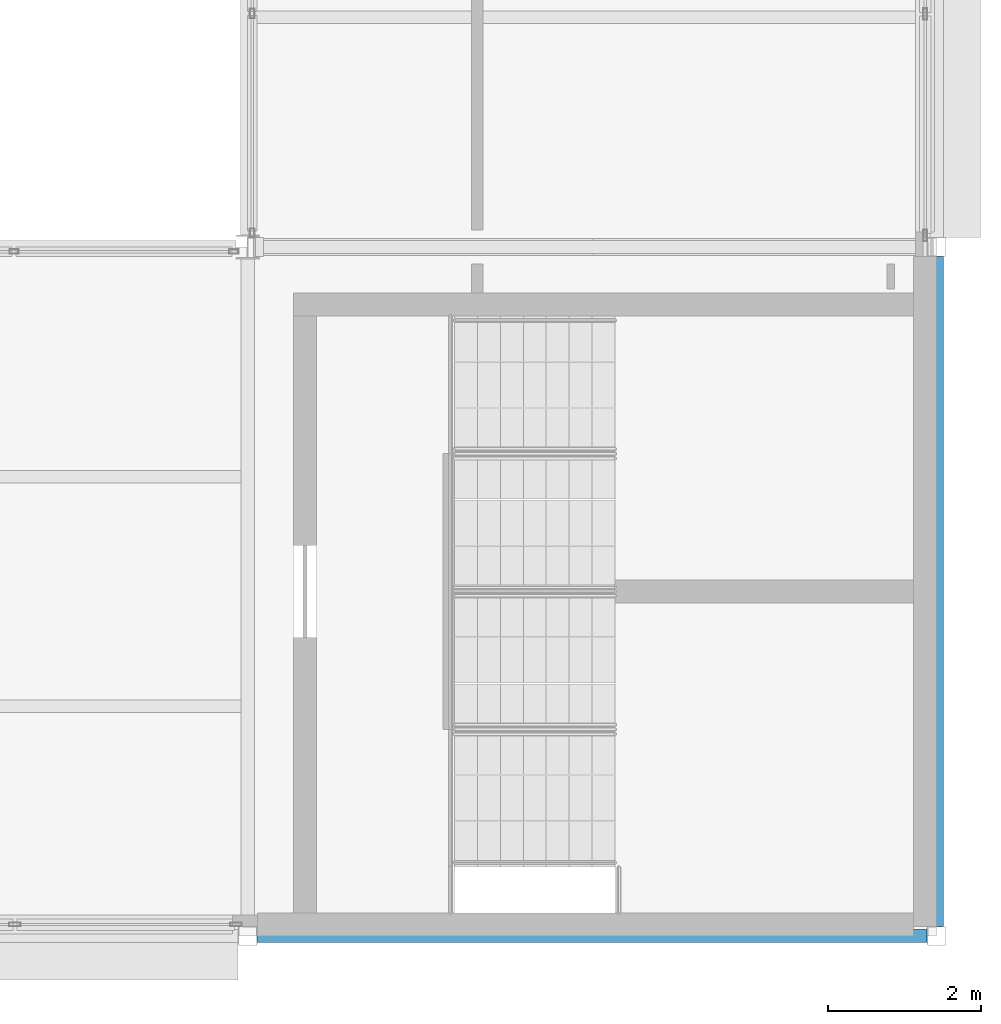
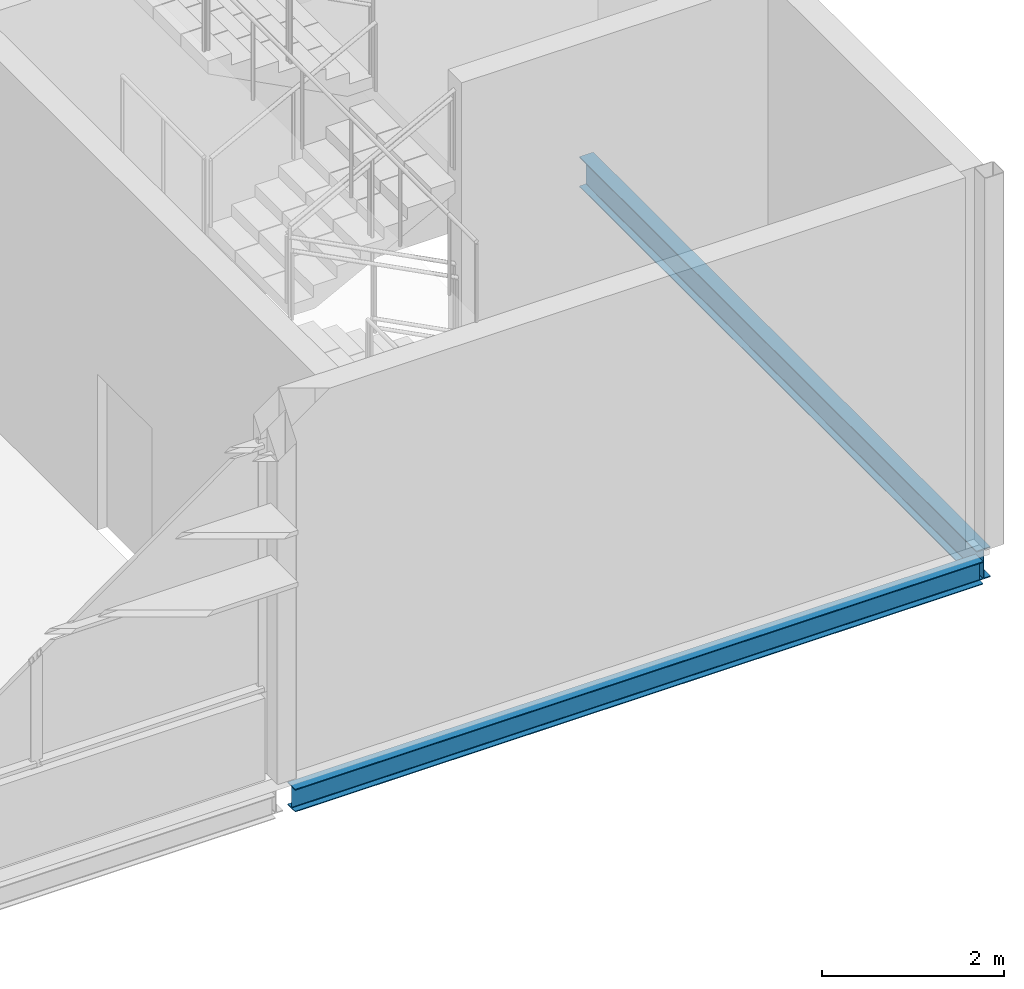
# One storey, part 40 of 94: 2 beams.
"""IFC4 building model written with IfcOpenShell, lengths in metres."""

from ifc_helpers import new_model, si_unit, direction, frame, origin, origin_2d, place, context, subcontext, project, spatial, i_section, extrude, material, material_profile, profile_set, type_object, element, save


model = new_model("IFC4")

# Units and contexts
model_context = context("Model", 3, precision=1e-05, world=origin(), true_north=direction((0.0, 1.0)))
body_context = subcontext(model_context, "Body", "Model", "MODEL_VIEW")
ifc_project = project(units=[si_unit("LENGTHUNIT", "METRE"), si_unit("AREAUNIT", "SQUARE_METRE"), si_unit("VOLUMEUNIT", "CUBIC_METRE"), si_unit("PLANEANGLEUNIT", "RADIAN"), si_unit("MASSUNIT", "GRAM", prefix="KILO")], contexts=[model_context])

# Site, building, storey
site_placement = place(None, origin())
site = spatial("IfcSite", under=ifc_project, at=site_placement, CompositionType="ELEMENT")
building_placement = place(site_placement, origin())
building = spatial("IfcBuilding", under=site, at=building_placement, Name="Shorebreak Coast Museum", CompositionType="ELEMENT")
storey_placement = place(building_placement, frame((0.0, 0.0, 31.0)))
storey = spatial("IfcBuildingStorey", under=building, at=storey_placement, Name="L05", CompositionType="ELEMENT", Elevation=31.0)

# Beams
ifc_material_1 = material(Name="Steel Grade 300", Category="steel")
ifc_material_profile_1 = material_profile(ifc_material_1, i_section(OverallWidth=0.166015625, OverallDepth=0.30712890625, WebThickness=0.006591796875, FlangeThickness=0.01171875, FilletRadius=0.011474609375, at=origin_2d()), Name="310UB46.2")
ifc_profile_set_1 = profile_set([ifc_material_profile_1], Name="Steel Grade 300")
beam_type_1 = type_object("IfcBeamType", Name="Floor girder east-west 310UB46.2", PredefinedType="BEAM", material=ifc_profile_set_1)
beam_1_placement = place(storey_placement, frame((108.125, 54.0, -0.32861328125), z_axis=(1.0, 0.0, 0.0), x_axis=(0.0, 1.0, 0.0)))
element("IfcBeam", 1, at=beam_1_placement, inside=storey, type_object=beam_type_1, Name="Floor girder east-west L05 13G", PredefinedType="BEAM", context=body_context, shape_type="SweptSolid", body=[
    extrude(i_section(OverallWidth=0.166015625, OverallDepth=0.30712890625, WebThickness=0.006591796875, FlangeThickness=0.01171875, FilletRadius=0.011474609375, at=origin_2d()), origin(), (0.0, 0.0, 1.0), 8.75),
])
ifc_material_2 = material(Name="Steel Grade 300", Category="steel")
ifc_material_profile_2 = material_profile(ifc_material_2, i_section(OverallWidth=0.177978515625, OverallDepth=0.406494140625, WebThickness=0.0078125, FlangeThickness=0.0126953125, FilletRadius=0.011474609375, at=origin_2d()), Name="410UB59.7")
ifc_profile_set_2 = profile_set([ifc_material_profile_2], Name="Steel Grade 300")
beam_type_2 = type_object("IfcBeamType", Name="Floor girder north-south 410UB59.7", PredefinedType="BEAM", material=ifc_profile_set_2)
beam_2_placement = place(storey_placement, frame((117.0, 54.125, -0.378173828125), z_axis=(0.0, 1.0, 0.0), x_axis=(-1.0, 0.0, 0.0)))
element("IfcBeam", 2, at=beam_2_placement, inside=storey, type_object=beam_type_2, Name="Floor girder north-south L05 14G", PredefinedType="BEAM", context=body_context, shape_type="SweptSolid", body=[
    extrude(i_section(OverallWidth=0.177978515625, OverallDepth=0.406494140625, WebThickness=0.0078125, FlangeThickness=0.0126953125, FilletRadius=0.011474609375, at=origin_2d()), origin(), (0.0, 0.0, 1.0), 8.75),
])

save(model, "model.ifc")
